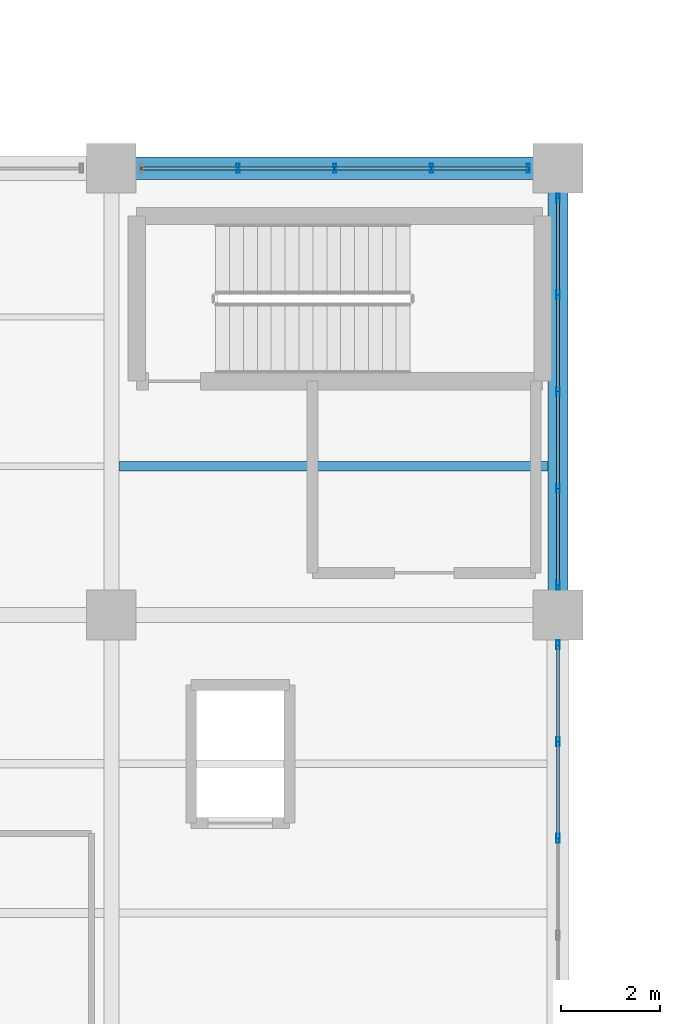
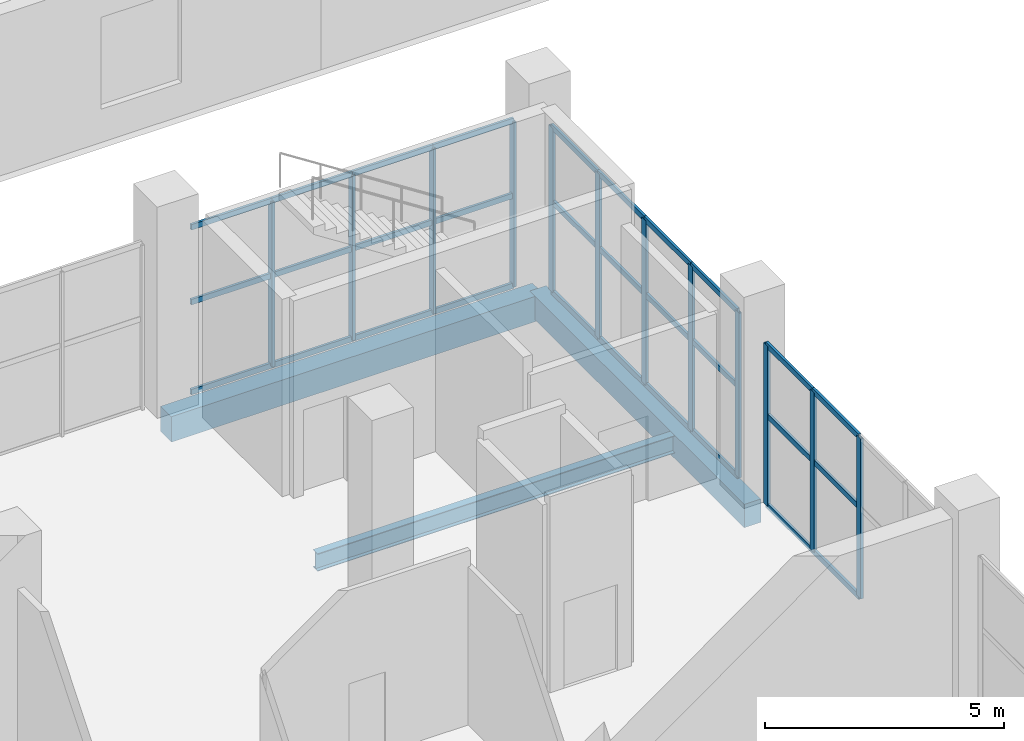
# One storey, part 57 of 147: 42 members, 3 beams, 3 elements without a shape of their own.
"""IFC4 building model written with IfcOpenShell, lengths in metres."""

from ifc_helpers import new_model, si_unit, direction, frame, origin, origin_2d, place, context, subcontext, project, spatial, rectangle, hollow_rectangle, i_section, extrude, material, layer, layer_set, material_profile, profile_set, type_object, element, aggregate, save


model = new_model("IFC4")

# Units and contexts
model_context = context("Model", 3, precision=1e-05, world=origin(), true_north=direction((0.0, 1.0)))
body_context = subcontext(model_context, "Body", "Model", "MODEL_VIEW")
ifc_project = project(units=[si_unit("LENGTHUNIT", "METRE"), si_unit("AREAUNIT", "SQUARE_METRE"), si_unit("VOLUMEUNIT", "CUBIC_METRE"), si_unit("PLANEANGLEUNIT", "RADIAN"), si_unit("MASSUNIT", "GRAM", prefix="KILO")], contexts=[model_context])

# Site, building, storey
site_placement = place(None, origin())
site = spatial("IfcSite", under=ifc_project, at=site_placement, CompositionType="ELEMENT")
building_placement = place(site_placement, origin())
building = spatial("IfcBuilding", under=site, at=building_placement, Name="Sundgate Opera House", CompositionType="ELEMENT")
storey_placement = place(building_placement, frame((0.0, 0.0, 6.0)))
storey = spatial("IfcBuildingStorey", under=building, at=storey_placement, Name="L01", CompositionType="ELEMENT", Elevation=6.0)

# Beams
ifc_material_1 = material(Name="Steel S355J2", Category="steel")
ifc_material_profile_1 = material_profile(ifc_material_1, i_section(OverallWidth=0.18994140625, OverallDepth=0.449951171875, WebThickness=0.009521484375, FlangeThickness=0.0146484375, at=origin_2d()), Name="IPE 450")
ifc_profile_set_1 = profile_set([ifc_material_profile_1], Name="Steel S355J2")
beam_type_1 = type_object("IfcBeamType", Name="BM-JS-IPE450", PredefinedType="JOIST", material=ifc_profile_set_1)
beam_1_placement = place(storey_placement, frame((63.14990234375, 72.0, -0.52490234375), z_axis=(1.0, 0.0, 0.0), x_axis=(0.0, 1.0, 0.0)))
element("IfcBeam", 1, at=beam_1_placement, inside=storey, type_object=beam_type_1, Name="L01 Secondary Floor Joist B1617", PredefinedType="JOIST", context=body_context, shape_type="SweptSolid", body=[
    extrude(i_section(OverallWidth=0.18994140625, OverallDepth=0.449951171875, WebThickness=0.009521484375, FlangeThickness=0.0146484375, at=origin_2d()), origin(), (0.0, 0.0, 1.0), 8.650146484375),
])
ifc_material_2 = material(Name="Concrete C35/45", Category="concrete")
ifc_material_profile_2 = material_profile(ifc_material_2, rectangle(XDim=0.39990234375, YDim=0.60009765625, at=origin_2d()), Name="RC 400x600")
ifc_profile_set_2 = profile_set([ifc_material_profile_2], Name="Concrete C35/45")
beam_type_2 = type_object("IfcBeamType", Name="BM-RC-400x600", PredefinedType="BEAM", material=ifc_profile_set_2)
beam_2_placement = place(storey_placement, frame((72.0, 69.0, -0.60009765625), z_axis=(0.0, 1.0, 0.0), x_axis=(-1.0, 0.0, 0.0)))
element("IfcBeam", 2, at=beam_2_placement, inside=storey, type_object=beam_type_2, Name="L01 Primary N-S Girder B1136", PredefinedType="BEAM", context=body_context, shape_type="SweptSolid", body=[
    extrude(rectangle(XDim=0.39990234375, YDim=0.60009765625, at=origin_2d()), origin(), (0.0, 0.0, 1.0), 9.0),
])
ifc_material_3 = material(Name="Concrete C35/45", Category="concrete")
ifc_material_profile_3 = material_profile(ifc_material_3, rectangle(XDim=0.449951171875, YDim=0.64990234375, at=origin_2d()), Name="RC 450x650")
ifc_profile_set_3 = profile_set([ifc_material_profile_3], Name="Concrete C35/45")
beam_type_3 = type_object("IfcBeamType", Name="BM-RC-450x650", PredefinedType="BEAM", material=ifc_profile_set_3)
beam_3_placement = place(storey_placement, frame((63.0, 78.0, -0.625), z_axis=(1.0, 0.0, 0.0), x_axis=(0.0, 1.0, 0.0)))
element("IfcBeam", 3, at=beam_3_placement, inside=storey, type_object=beam_type_3, Name="L01 Primary E-W Girder B1377", PredefinedType="BEAM", context=body_context, shape_type="SweptSolid", body=[
    extrude(rectangle(XDim=0.449951171875, YDim=0.64990234375, at=origin_2d()), origin(), (0.0, 0.0, 1.0), 9.0),
])

# Curtain wall, members
ifc_material_4 = material(Name="Anodized aluminium and low-iron glass", Category="aluminium")
ifc_layer = layer(ifc_material_4, 0.179931640625)
ifc_layer_set = layer_set([ifc_layer], Name="Anodized aluminium and low-iron glass")
curtain_wall_type = type_object("IfcCurtainWallType", Name="CW-FOYER-GLASS", PredefinedType="NOTDEFINED", material=ifc_layer_set)
curtain_wall_1_placement = place(storey_placement, origin())
curtain_wall_1 = element("IfcCurtainWall", 4, at=curtain_wall_1_placement, inside=storey, type_object=curtain_wall_type, Name="L01 Curtain Wall CW018", PredefinedType="NOTDEFINED")
ifc_material_5 = material(Name="Anodized aluminium EN AW-6063", Category="aluminium")
ifc_material_profile_4 = material_profile(ifc_material_5, hollow_rectangle(XDim=0.06494140625, YDim=0.179931640625, WallThickness=0.00390625, at=origin_2d()), Name="CWM 180x65x4")
ifc_profile_set_4 = profile_set([ifc_material_profile_4], Name="Anodized aluminium EN AW-6063")
member_type_1 = type_object("IfcMemberType", Name="CWM-ALU-180x65", PredefinedType="MULLION", material=ifc_profile_set_4)
member_1_placement = place(storey_placement, frame((65.550048828125, 78.0, 0.0), z_axis=(0.0, 0.0, 1.0), x_axis=(1.0, 0.0, 0.0)))
member_1 = element("IfcMember", 5, at=member_1_placement, type_object=member_type_1, Name="CW018 Mullion 2", PredefinedType="MULLION", context=body_context, shape_type="SweptSolid", body=[
    extrude(hollow_rectangle(XDim=0.06494140625, YDim=0.179931640625, WallThickness=0.00390625, at=origin_2d()), origin(), (0.0, 0.0, 1.0), 4.215087890625),
])
member_2_placement = place(storey_placement, frame((67.5, 78.0, 0.0), z_axis=(0.0, 0.0, 1.0), x_axis=(1.0, 0.0, 0.0)))
member_2 = element("IfcMember", 6, at=member_2_placement, type_object=member_type_1, Name="CW018 Mullion 3", PredefinedType="MULLION", context=body_context, shape_type="SweptSolid", body=[
    extrude(hollow_rectangle(XDim=0.06494140625, YDim=0.179931640625, WallThickness=0.00390625, at=origin_2d()), origin(), (0.0, 0.0, 1.0), 4.215087890625),
])
member_3_placement = place(storey_placement, frame((69.449951171875, 78.0, 0.0), z_axis=(0.0, 0.0, 1.0), x_axis=(1.0, 0.0, 0.0)))
member_3 = element("IfcMember", 7, at=member_3_placement, type_object=member_type_1, Name="CW018 Mullion 4", PredefinedType="MULLION", context=body_context, shape_type="SweptSolid", body=[
    extrude(hollow_rectangle(XDim=0.06494140625, YDim=0.179931640625, WallThickness=0.00390625, at=origin_2d()), origin(), (0.0, 0.0, 1.0), 4.215087890625),
])
member_4_placement = place(storey_placement, frame((71.39990234375, 78.0, 0.0), z_axis=(0.0, 0.0, 1.0), x_axis=(1.0, 0.0, 0.0)))
member_4 = element("IfcMember", 8, at=member_4_placement, type_object=member_type_1, Name="CW018 Mullion 5", PredefinedType="MULLION", context=body_context, shape_type="SweptSolid", body=[
    extrude(hollow_rectangle(XDim=0.06494140625, YDim=0.179931640625, WallThickness=0.00390625, at=origin_2d()), origin(), (0.0, 0.0, 1.0), 4.215087890625),
])

curtain_wall_2_placement = place(storey_placement, origin())
curtain_wall_2 = element("IfcCurtainWall", 9, at=curtain_wall_2_placement, inside=storey, type_object=curtain_wall_type, Name="L01 Curtain Wall CW025", PredefinedType="NOTDEFINED")
member_5_placement = place(storey_placement, frame((72.0, 64.5, 0.0), z_axis=(0.0, 0.0, 1.0), x_axis=(1.0, 0.0, 0.0)))
member_5 = element("IfcMember", 10, at=member_5_placement, type_object=member_type_1, Name="CW025 Mullion 3", PredefinedType="MULLION", context=body_context, shape_type="SweptSolid", body=[
    extrude(hollow_rectangle(XDim=0.06494140625, YDim=0.179931640625, WallThickness=0.00390625, at=origin_2d()), origin(), (0.0, 0.0, 1.0), 4.094970703125),
])
member_6_placement = place(storey_placement, frame((72.0, 66.449951171875, 0.0), z_axis=(0.0, 0.0, 1.0), x_axis=(1.0, 0.0, 0.0)))
member_6 = element("IfcMember", 11, at=member_6_placement, type_object=member_type_1, Name="CW025 Mullion 4", PredefinedType="MULLION", context=body_context, shape_type="SweptSolid", body=[
    extrude(hollow_rectangle(XDim=0.06494140625, YDim=0.179931640625, WallThickness=0.00390625, at=origin_2d()), origin(), (0.0, 0.0, 1.0), 4.094970703125),
])
member_7_placement = place(storey_placement, frame((72.0, 68.39990234375, 0.0), z_axis=(0.0, 0.0, 1.0), x_axis=(1.0, 0.0, 0.0)))
member_7 = element("IfcMember", 12, at=member_7_placement, type_object=member_type_1, Name="CW025 Mullion 5", PredefinedType="MULLION", context=body_context, shape_type="SweptSolid", body=[
    extrude(hollow_rectangle(XDim=0.06494140625, YDim=0.179931640625, WallThickness=0.00390625, at=origin_2d()), origin(), (0.0, 0.0, 1.0), 4.094970703125),
])

curtain_wall_3_placement = place(storey_placement, origin())
curtain_wall_3 = element("IfcCurtainWall", 13, at=curtain_wall_3_placement, inside=storey, type_object=curtain_wall_type, Name="L01 Curtain Wall CW026", PredefinedType="NOTDEFINED")
member_8_placement = place(storey_placement, frame((72.0, 69.60009765625, 0.0), z_axis=(0.0, 0.0, 1.0), x_axis=(1.0, 0.0, 0.0)))
member_8 = element("IfcMember", 14, at=member_8_placement, type_object=member_type_1, Name="CW026 Mullion 1", PredefinedType="MULLION", context=body_context, shape_type="SweptSolid", body=[
    extrude(hollow_rectangle(XDim=0.06494140625, YDim=0.179931640625, WallThickness=0.00390625, at=origin_2d()), origin(), (0.0, 0.0, 1.0), 4.215087890625),
])
member_9_placement = place(storey_placement, frame((72.0, 71.550048828125, 0.0), z_axis=(0.0, 0.0, 1.0), x_axis=(1.0, 0.0, 0.0)))
member_9 = element("IfcMember", 15, at=member_9_placement, type_object=member_type_1, Name="CW026 Mullion 2", PredefinedType="MULLION", context=body_context, shape_type="SweptSolid", body=[
    extrude(hollow_rectangle(XDim=0.06494140625, YDim=0.179931640625, WallThickness=0.00390625, at=origin_2d()), origin(), (0.0, 0.0, 1.0), 4.215087890625),
])
member_10_placement = place(storey_placement, frame((72.0, 73.5, 0.0), z_axis=(0.0, 0.0, 1.0), x_axis=(1.0, 0.0, 0.0)))
member_10 = element("IfcMember", 16, at=member_10_placement, type_object=member_type_1, Name="CW026 Mullion 3", PredefinedType="MULLION", context=body_context, shape_type="SweptSolid", body=[
    extrude(hollow_rectangle(XDim=0.06494140625, YDim=0.179931640625, WallThickness=0.00390625, at=origin_2d()), origin(), (0.0, 0.0, 1.0), 4.215087890625),
])
member_11_placement = place(storey_placement, frame((72.0, 75.449951171875, 0.0), z_axis=(0.0, 0.0, 1.0), x_axis=(1.0, 0.0, 0.0)))
member_11 = element("IfcMember", 17, at=member_11_placement, type_object=member_type_1, Name="CW026 Mullion 4", PredefinedType="MULLION", context=body_context, shape_type="SweptSolid", body=[
    extrude(hollow_rectangle(XDim=0.06494140625, YDim=0.179931640625, WallThickness=0.00390625, at=origin_2d()), origin(), (0.0, 0.0, 1.0), 4.215087890625),
])
member_12_placement = place(storey_placement, frame((72.0, 77.39990234375, 0.0), z_axis=(0.0, 0.0, 1.0), x_axis=(1.0, 0.0, 0.0)))
member_12 = element("IfcMember", 18, at=member_12_placement, type_object=member_type_1, Name="CW026 Mullion 5", PredefinedType="MULLION", context=body_context, shape_type="SweptSolid", body=[
    extrude(hollow_rectangle(XDim=0.06494140625, YDim=0.179931640625, WallThickness=0.00390625, at=origin_2d()), origin(), (0.0, 0.0, 1.0), 4.215087890625),
])

# Member
ifc_material_6 = material(Name="Anodized aluminium EN AW-6063", Category="aluminium")
ifc_material_profile_5 = material_profile(ifc_material_6, hollow_rectangle(XDim=0.06005859375, YDim=0.139892578125, WallThickness=0.00390625, at=origin_2d()), Name="CWT 140x60x4")
ifc_profile_set_5 = profile_set([ifc_material_profile_5], Name="Anodized aluminium EN AW-6063")
member_type_2 = type_object("IfcMemberType", Name="CWT-ALU-140x60", PredefinedType="USERDEFINED", material=ifc_profile_set_5)
member_13_placement = place(storey_placement, frame((63.60009765625, 78.0, 0.0), z_axis=(1.0, 0.0, 0.0), x_axis=(0.0, 1.0, 0.0)))
member_13 = element("IfcMember", 19, at=member_13_placement, type_object=member_type_2, Name="CW018 Transom 1", ObjectType="TRANSOM", PredefinedType="USERDEFINED", context=body_context, shape_type="SweptSolid", body=[
    extrude(hollow_rectangle(XDim=0.06005859375, YDim=0.139892578125, WallThickness=0.00390625, at=origin_2d()), origin(), (0.0, 0.0, 1.0), 1.949951171875),
])

member_14_placement = place(storey_placement, frame((63.60009765625, 78.0, 2.300048828125), z_axis=(1.0, 0.0, 0.0), x_axis=(0.0, 1.0, 0.0)))
member_14 = element("IfcMember", 20, at=member_14_placement, type_object=member_type_2, Name="CW018 Transom 2", ObjectType="TRANSOM", PredefinedType="USERDEFINED", context=body_context, shape_type="SweptSolid", body=[
    extrude(hollow_rectangle(XDim=0.06005859375, YDim=0.139892578125, WallThickness=0.00390625, at=origin_2d()), origin(), (0.0, 0.0, 1.0), 1.949951171875),
])

member_15_placement = place(storey_placement, frame((63.60009765625, 78.0, 4.215087890625), z_axis=(1.0, 0.0, 0.0), x_axis=(0.0, 1.0, 0.0)))
member_15 = element("IfcMember", 21, at=member_15_placement, type_object=member_type_2, Name="CW018 Transom 3", ObjectType="TRANSOM", PredefinedType="USERDEFINED", context=body_context, shape_type="SweptSolid", body=[
    extrude(hollow_rectangle(XDim=0.06005859375, YDim=0.139892578125, WallThickness=0.00390625, at=origin_2d()), origin(), (0.0, 0.0, 1.0), 1.949951171875),
])

member_16_placement = place(storey_placement, frame((65.550048828125, 78.0, 0.0), z_axis=(1.0, 0.0, 0.0), x_axis=(0.0, 1.0, 0.0)))
member_16 = element("IfcMember", 22, at=member_16_placement, type_object=member_type_2, Name="CW018 Transom 4", ObjectType="TRANSOM", PredefinedType="USERDEFINED", context=body_context, shape_type="SweptSolid", body=[
    extrude(hollow_rectangle(XDim=0.06005859375, YDim=0.139892578125, WallThickness=0.00390625, at=origin_2d()), origin(), (0.0, 0.0, 1.0), 1.949951171875),
])

member_17_placement = place(storey_placement, frame((65.550048828125, 78.0, 2.300048828125), z_axis=(1.0, 0.0, 0.0), x_axis=(0.0, 1.0, 0.0)))
member_17 = element("IfcMember", 23, at=member_17_placement, type_object=member_type_2, Name="CW018 Transom 5", ObjectType="TRANSOM", PredefinedType="USERDEFINED", context=body_context, shape_type="SweptSolid", body=[
    extrude(hollow_rectangle(XDim=0.06005859375, YDim=0.139892578125, WallThickness=0.00390625, at=origin_2d()), origin(), (0.0, 0.0, 1.0), 1.949951171875),
])

member_18_placement = place(storey_placement, frame((65.550048828125, 78.0, 4.215087890625), z_axis=(1.0, 0.0, 0.0), x_axis=(0.0, 1.0, 0.0)))
member_18 = element("IfcMember", 24, at=member_18_placement, type_object=member_type_2, Name="CW018 Transom 6", ObjectType="TRANSOM", PredefinedType="USERDEFINED", context=body_context, shape_type="SweptSolid", body=[
    extrude(hollow_rectangle(XDim=0.06005859375, YDim=0.139892578125, WallThickness=0.00390625, at=origin_2d()), origin(), (0.0, 0.0, 1.0), 1.949951171875),
])

member_19_placement = place(storey_placement, frame((67.5, 78.0, 0.0), z_axis=(1.0, 0.0, 0.0), x_axis=(0.0, 1.0, 0.0)))
member_19 = element("IfcMember", 25, at=member_19_placement, type_object=member_type_2, Name="CW018 Transom 7", ObjectType="TRANSOM", PredefinedType="USERDEFINED", context=body_context, shape_type="SweptSolid", body=[
    extrude(hollow_rectangle(XDim=0.06005859375, YDim=0.139892578125, WallThickness=0.00390625, at=origin_2d()), origin(), (0.0, 0.0, 1.0), 1.949951171875),
])

member_20_placement = place(storey_placement, frame((67.5, 78.0, 2.300048828125), z_axis=(1.0, 0.0, 0.0), x_axis=(0.0, 1.0, 0.0)))
member_20 = element("IfcMember", 26, at=member_20_placement, type_object=member_type_2, Name="CW018 Transom 8", ObjectType="TRANSOM", PredefinedType="USERDEFINED", context=body_context, shape_type="SweptSolid", body=[
    extrude(hollow_rectangle(XDim=0.06005859375, YDim=0.139892578125, WallThickness=0.00390625, at=origin_2d()), origin(), (0.0, 0.0, 1.0), 1.949951171875),
])

member_21_placement = place(storey_placement, frame((67.5, 78.0, 4.215087890625), z_axis=(1.0, 0.0, 0.0), x_axis=(0.0, 1.0, 0.0)))
member_21 = element("IfcMember", 27, at=member_21_placement, type_object=member_type_2, Name="CW018 Transom 9", ObjectType="TRANSOM", PredefinedType="USERDEFINED", context=body_context, shape_type="SweptSolid", body=[
    extrude(hollow_rectangle(XDim=0.06005859375, YDim=0.139892578125, WallThickness=0.00390625, at=origin_2d()), origin(), (0.0, 0.0, 1.0), 1.949951171875),
])

member_22_placement = place(storey_placement, frame((69.449951171875, 78.0, 0.0), z_axis=(1.0, 0.0, 0.0), x_axis=(0.0, 1.0, 0.0)))
member_22 = element("IfcMember", 28, at=member_22_placement, type_object=member_type_2, Name="CW018 Transom 10", ObjectType="TRANSOM", PredefinedType="USERDEFINED", context=body_context, shape_type="SweptSolid", body=[
    extrude(hollow_rectangle(XDim=0.06005859375, YDim=0.139892578125, WallThickness=0.00390625, at=origin_2d()), origin(), (0.0, 0.0, 1.0), 1.949951171875),
])

member_23_placement = place(storey_placement, frame((69.449951171875, 78.0, 2.300048828125), z_axis=(1.0, 0.0, 0.0), x_axis=(0.0, 1.0, 0.0)))
member_23 = element("IfcMember", 29, at=member_23_placement, type_object=member_type_2, Name="CW018 Transom 11", ObjectType="TRANSOM", PredefinedType="USERDEFINED", context=body_context, shape_type="SweptSolid", body=[
    extrude(hollow_rectangle(XDim=0.06005859375, YDim=0.139892578125, WallThickness=0.00390625, at=origin_2d()), origin(), (0.0, 0.0, 1.0), 1.949951171875),
])

member_24_placement = place(storey_placement, frame((69.449951171875, 78.0, 4.215087890625), z_axis=(1.0, 0.0, 0.0), x_axis=(0.0, 1.0, 0.0)))
member_24 = element("IfcMember", 30, at=member_24_placement, type_object=member_type_2, Name="CW018 Transom 12", ObjectType="TRANSOM", PredefinedType="USERDEFINED", context=body_context, shape_type="SweptSolid", body=[
    extrude(hollow_rectangle(XDim=0.06005859375, YDim=0.139892578125, WallThickness=0.00390625, at=origin_2d()), origin(), (0.0, 0.0, 1.0), 1.949951171875),
])

aggregate(curtain_wall_1, [member_1, member_2, member_3, member_4, member_13, member_14, member_15, member_16, member_17, member_18, member_19, member_20, member_21, member_22, member_23, member_24])

member_25_placement = place(storey_placement, frame((72.0, 64.5, 0.0), z_axis=(0.0, 1.0, 0.0), x_axis=(-1.0, 0.0, 0.0)))
member_25 = element("IfcMember", 31, at=member_25_placement, type_object=member_type_2, Name="CW025 Transom 7", ObjectType="TRANSOM", PredefinedType="USERDEFINED", context=body_context, shape_type="SweptSolid", body=[
    extrude(hollow_rectangle(XDim=0.06005859375, YDim=0.139892578125, WallThickness=0.00390625, at=origin_2d()), origin(), (0.0, 0.0, 1.0), 1.949951171875),
])

member_26_placement = place(storey_placement, frame((72.0, 64.5, 2.300048828125), z_axis=(0.0, 1.0, 0.0), x_axis=(-1.0, 0.0, 0.0)))
member_26 = element("IfcMember", 32, at=member_26_placement, type_object=member_type_2, Name="CW025 Transom 8", ObjectType="TRANSOM", PredefinedType="USERDEFINED", context=body_context, shape_type="SweptSolid", body=[
    extrude(hollow_rectangle(XDim=0.06005859375, YDim=0.139892578125, WallThickness=0.00390625, at=origin_2d()), origin(), (0.0, 0.0, 1.0), 1.949951171875),
])

member_27_placement = place(storey_placement, frame((72.0, 64.5, 4.094970703125), z_axis=(0.0, 1.0, 0.0), x_axis=(-1.0, 0.0, 0.0)))
member_27 = element("IfcMember", 33, at=member_27_placement, type_object=member_type_2, Name="CW025 Transom 9", ObjectType="TRANSOM", PredefinedType="USERDEFINED", context=body_context, shape_type="SweptSolid", body=[
    extrude(hollow_rectangle(XDim=0.06005859375, YDim=0.139892578125, WallThickness=0.00390625, at=origin_2d()), origin(), (0.0, 0.0, 1.0), 1.949951171875),
])

member_28_placement = place(storey_placement, frame((72.0, 66.449951171875, 0.0), z_axis=(0.0, 1.0, 0.0), x_axis=(-1.0, 0.0, 0.0)))
member_28 = element("IfcMember", 34, at=member_28_placement, type_object=member_type_2, Name="CW025 Transom 10", ObjectType="TRANSOM", PredefinedType="USERDEFINED", context=body_context, shape_type="SweptSolid", body=[
    extrude(hollow_rectangle(XDim=0.06005859375, YDim=0.139892578125, WallThickness=0.00390625, at=origin_2d()), origin(), (0.0, 0.0, 1.0), 1.949951171875),
])

member_29_placement = place(storey_placement, frame((72.0, 66.449951171875, 2.300048828125), z_axis=(0.0, 1.0, 0.0), x_axis=(-1.0, 0.0, 0.0)))
member_29 = element("IfcMember", 35, at=member_29_placement, type_object=member_type_2, Name="CW025 Transom 11", ObjectType="TRANSOM", PredefinedType="USERDEFINED", context=body_context, shape_type="SweptSolid", body=[
    extrude(hollow_rectangle(XDim=0.06005859375, YDim=0.139892578125, WallThickness=0.00390625, at=origin_2d()), origin(), (0.0, 0.0, 1.0), 1.949951171875),
])

member_30_placement = place(storey_placement, frame((72.0, 66.449951171875, 4.094970703125), z_axis=(0.0, 1.0, 0.0), x_axis=(-1.0, 0.0, 0.0)))
member_30 = element("IfcMember", 36, at=member_30_placement, type_object=member_type_2, Name="CW025 Transom 12", ObjectType="TRANSOM", PredefinedType="USERDEFINED", context=body_context, shape_type="SweptSolid", body=[
    extrude(hollow_rectangle(XDim=0.06005859375, YDim=0.139892578125, WallThickness=0.00390625, at=origin_2d()), origin(), (0.0, 0.0, 1.0), 1.949951171875),
])

aggregate(curtain_wall_2, [member_5, member_6, member_7, member_25, member_26, member_27, member_28, member_29, member_30])

member_31_placement = place(storey_placement, frame((72.0, 69.60009765625, 0.0), z_axis=(0.0, 1.0, 0.0), x_axis=(-1.0, 0.0, 0.0)))
member_31 = element("IfcMember", 37, at=member_31_placement, type_object=member_type_2, Name="CW026 Transom 1", ObjectType="TRANSOM", PredefinedType="USERDEFINED", context=body_context, shape_type="SweptSolid", body=[
    extrude(hollow_rectangle(XDim=0.06005859375, YDim=0.139892578125, WallThickness=0.00390625, at=origin_2d()), origin(), (0.0, 0.0, 1.0), 1.949951171875),
])

member_32_placement = place(storey_placement, frame((72.0, 69.60009765625, 2.300048828125), z_axis=(0.0, 1.0, 0.0), x_axis=(-1.0, 0.0, 0.0)))
member_32 = element("IfcMember", 38, at=member_32_placement, type_object=member_type_2, Name="CW026 Transom 2", ObjectType="TRANSOM", PredefinedType="USERDEFINED", context=body_context, shape_type="SweptSolid", body=[
    extrude(hollow_rectangle(XDim=0.06005859375, YDim=0.139892578125, WallThickness=0.00390625, at=origin_2d()), origin(), (0.0, 0.0, 1.0), 1.949951171875),
])

member_33_placement = place(storey_placement, frame((72.0, 69.60009765625, 4.215087890625), z_axis=(0.0, 1.0, 0.0), x_axis=(-1.0, 0.0, 0.0)))
member_33 = element("IfcMember", 39, at=member_33_placement, type_object=member_type_2, Name="CW026 Transom 3", ObjectType="TRANSOM", PredefinedType="USERDEFINED", context=body_context, shape_type="SweptSolid", body=[
    extrude(hollow_rectangle(XDim=0.06005859375, YDim=0.139892578125, WallThickness=0.00390625, at=origin_2d()), origin(), (0.0, 0.0, 1.0), 1.949951171875),
])

member_34_placement = place(storey_placement, frame((72.0, 71.550048828125, 0.0), z_axis=(0.0, 1.0, 0.0), x_axis=(-1.0, 0.0, 0.0)))
member_34 = element("IfcMember", 40, at=member_34_placement, type_object=member_type_2, Name="CW026 Transom 4", ObjectType="TRANSOM", PredefinedType="USERDEFINED", context=body_context, shape_type="SweptSolid", body=[
    extrude(hollow_rectangle(XDim=0.06005859375, YDim=0.139892578125, WallThickness=0.00390625, at=origin_2d()), origin(), (0.0, 0.0, 1.0), 1.949951171875),
])

member_35_placement = place(storey_placement, frame((72.0, 71.550048828125, 2.300048828125), z_axis=(0.0, 1.0, 0.0), x_axis=(-1.0, 0.0, 0.0)))
member_35 = element("IfcMember", 41, at=member_35_placement, type_object=member_type_2, Name="CW026 Transom 5", ObjectType="TRANSOM", PredefinedType="USERDEFINED", context=body_context, shape_type="SweptSolid", body=[
    extrude(hollow_rectangle(XDim=0.06005859375, YDim=0.139892578125, WallThickness=0.00390625, at=origin_2d()), origin(), (0.0, 0.0, 1.0), 1.949951171875),
])

member_36_placement = place(storey_placement, frame((72.0, 71.550048828125, 4.215087890625), z_axis=(0.0, 1.0, 0.0), x_axis=(-1.0, 0.0, 0.0)))
member_36 = element("IfcMember", 42, at=member_36_placement, type_object=member_type_2, Name="CW026 Transom 6", ObjectType="TRANSOM", PredefinedType="USERDEFINED", context=body_context, shape_type="SweptSolid", body=[
    extrude(hollow_rectangle(XDim=0.06005859375, YDim=0.139892578125, WallThickness=0.00390625, at=origin_2d()), origin(), (0.0, 0.0, 1.0), 1.949951171875),
])

member_37_placement = place(storey_placement, frame((72.0, 73.5, 0.0), z_axis=(0.0, 1.0, 0.0), x_axis=(-1.0, 0.0, 0.0)))
member_37 = element("IfcMember", 43, at=member_37_placement, type_object=member_type_2, Name="CW026 Transom 7", ObjectType="TRANSOM", PredefinedType="USERDEFINED", context=body_context, shape_type="SweptSolid", body=[
    extrude(hollow_rectangle(XDim=0.06005859375, YDim=0.139892578125, WallThickness=0.00390625, at=origin_2d()), origin(), (0.0, 0.0, 1.0), 1.949951171875),
])

member_38_placement = place(storey_placement, frame((72.0, 73.5, 2.300048828125), z_axis=(0.0, 1.0, 0.0), x_axis=(-1.0, 0.0, 0.0)))
member_38 = element("IfcMember", 44, at=member_38_placement, type_object=member_type_2, Name="CW026 Transom 8", ObjectType="TRANSOM", PredefinedType="USERDEFINED", context=body_context, shape_type="SweptSolid", body=[
    extrude(hollow_rectangle(XDim=0.06005859375, YDim=0.139892578125, WallThickness=0.00390625, at=origin_2d()), origin(), (0.0, 0.0, 1.0), 1.949951171875),
])

member_39_placement = place(storey_placement, frame((72.0, 73.5, 4.215087890625), z_axis=(0.0, 1.0, 0.0), x_axis=(-1.0, 0.0, 0.0)))
member_39 = element("IfcMember", 45, at=member_39_placement, type_object=member_type_2, Name="CW026 Transom 9", ObjectType="TRANSOM", PredefinedType="USERDEFINED", context=body_context, shape_type="SweptSolid", body=[
    extrude(hollow_rectangle(XDim=0.06005859375, YDim=0.139892578125, WallThickness=0.00390625, at=origin_2d()), origin(), (0.0, 0.0, 1.0), 1.949951171875),
])

member_40_placement = place(storey_placement, frame((72.0, 75.449951171875, 0.0), z_axis=(0.0, 1.0, 0.0), x_axis=(-1.0, 0.0, 0.0)))
member_40 = element("IfcMember", 46, at=member_40_placement, type_object=member_type_2, Name="CW026 Transom 10", ObjectType="TRANSOM", PredefinedType="USERDEFINED", context=body_context, shape_type="SweptSolid", body=[
    extrude(hollow_rectangle(XDim=0.06005859375, YDim=0.139892578125, WallThickness=0.00390625, at=origin_2d()), origin(), (0.0, 0.0, 1.0), 1.949951171875),
])

member_41_placement = place(storey_placement, frame((72.0, 75.449951171875, 2.300048828125), z_axis=(0.0, 1.0, 0.0), x_axis=(-1.0, 0.0, 0.0)))
member_41 = element("IfcMember", 47, at=member_41_placement, type_object=member_type_2, Name="CW026 Transom 11", ObjectType="TRANSOM", PredefinedType="USERDEFINED", context=body_context, shape_type="SweptSolid", body=[
    extrude(hollow_rectangle(XDim=0.06005859375, YDim=0.139892578125, WallThickness=0.00390625, at=origin_2d()), origin(), (0.0, 0.0, 1.0), 1.949951171875),
])

member_42_placement = place(storey_placement, frame((72.0, 75.449951171875, 4.215087890625), z_axis=(0.0, 1.0, 0.0), x_axis=(-1.0, 0.0, 0.0)))
member_42 = element("IfcMember", 48, at=member_42_placement, type_object=member_type_2, Name="CW026 Transom 12", ObjectType="TRANSOM", PredefinedType="USERDEFINED", context=body_context, shape_type="SweptSolid", body=[
    extrude(hollow_rectangle(XDim=0.06005859375, YDim=0.139892578125, WallThickness=0.00390625, at=origin_2d()), origin(), (0.0, 0.0, 1.0), 1.949951171875),
])

aggregate(curtain_wall_3, [member_8, member_9, member_10, member_11, member_12, member_31, member_32, member_33, member_34, member_35, member_36, member_37, member_38, member_39, member_40, member_41, member_42])

save(model, "model.ifc")
